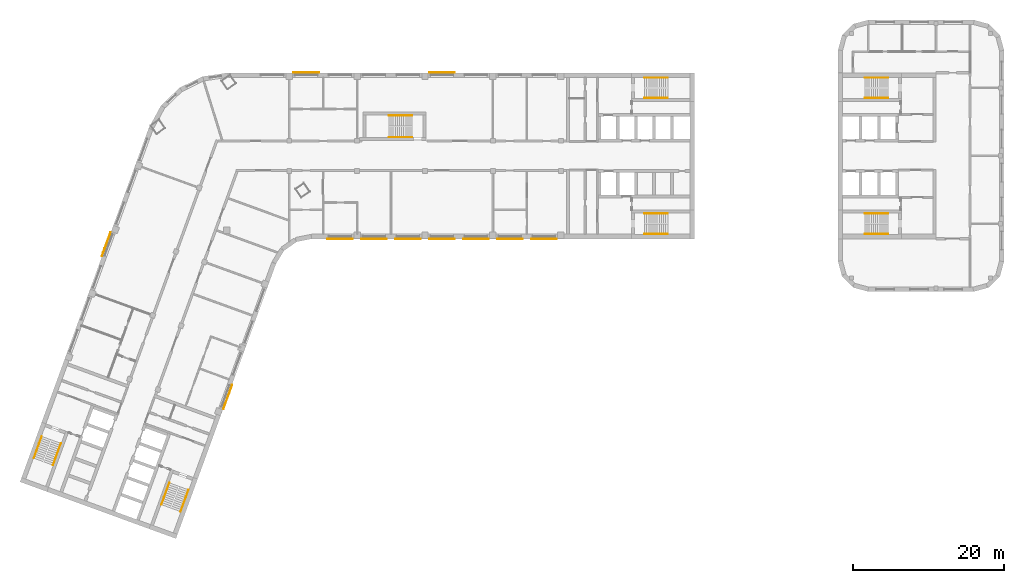
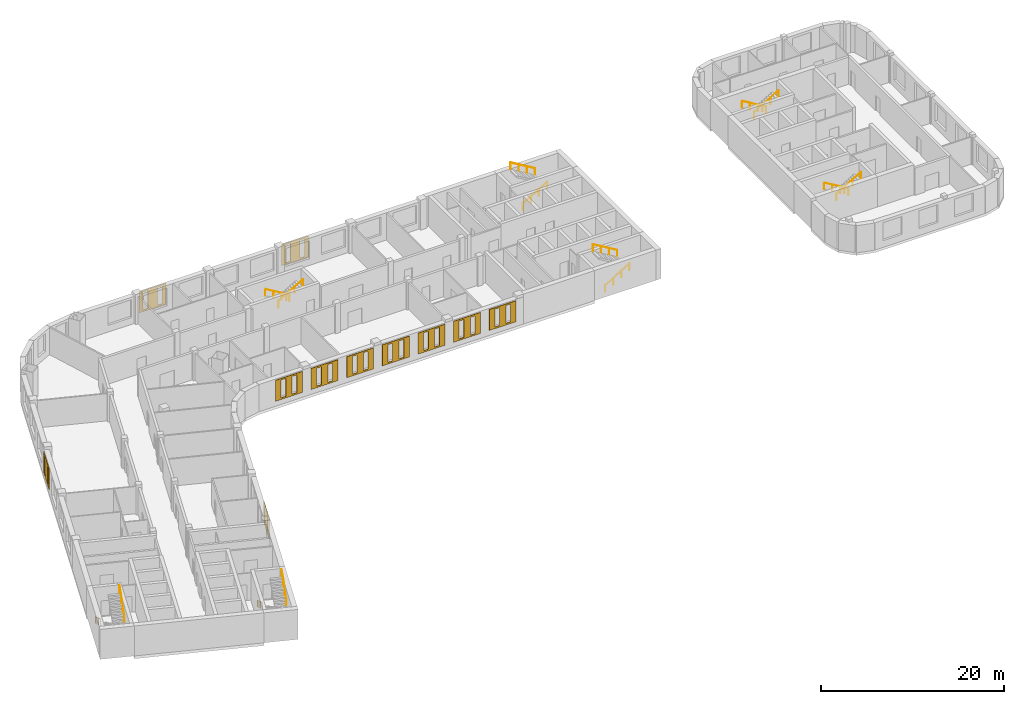
# One storey, part 10 of 10: 14 railings, 11 coverings.
"""IFC4 building model written with IfcOpenShell, lengths in metres."""

from ifc_helpers import new_model, si_unit, direction, frame, origin, origin_2d, place, context, subcontext, project, spatial, polyline, circle, outline, extrude, material, material_profile, profile_set, type_object, element, save


model = new_model("IFC4")

# Units and contexts
model_context = context("Model", 3, precision=1e-05, world=origin(), true_north=direction((0.0, 1.0)))
body_context = subcontext(model_context, "Body", "Model", "MODEL_VIEW")
ifc_project = project(units=[si_unit("LENGTHUNIT", "METRE"), si_unit("AREAUNIT", "SQUARE_METRE"), si_unit("VOLUMEUNIT", "CUBIC_METRE"), si_unit("PLANEANGLEUNIT", "RADIAN"), si_unit("MASSUNIT", "GRAM", prefix="KILO")], contexts=[model_context])

# Site, building, storey
site_placement = place(None, origin())
site = spatial("IfcSite", under=ifc_project, at=site_placement, CompositionType="ELEMENT")
building_placement = place(site_placement, origin())
building = spatial("IfcBuilding", under=site, at=building_placement, Name="Skarvind Civic Tower", CompositionType="ELEMENT")
storey_placement = place(building_placement, frame((0.0, 0.0, 97.0)))
storey = spatial("IfcBuildingStorey", under=building, at=storey_placement, Name="L22", CompositionType="ELEMENT", Elevation=97.0)

# Railings
ifc_material_1 = material(Name="Painted steel handrail", Category="steel")
railing_type = type_object("IfcRailingType", Name="Stair handrail 900", PredefinedType="HANDRAIL", material=ifc_material_1)
railing_1_placement = place(storey_placement, frame((101.35009765625, 135.64990234375, 0.166748046875)))
element("IfcRailing", 1, at=railing_1_placement, inside=storey, type_object=railing_type, Name="Stair handrail", PredefinedType="HANDRAIL", context=body_context, shape_type="SweptSolid", body=[
    extrude(circle(Radius=0.02392578125, at=origin_2d()), frame((0.0, 0.0, 0.8759765625), z_axis=(0.859290745958, 0.0, 0.51148745235), x_axis=(0.0, 1.0, 0.0)), (0.0, 0.0, 1.0), 3.584228515625),
    extrude(circle(Radius=0.02099609375, at=origin_2d()), origin(), (0.0, 0.0, 1.0), 0.851806640625),
    extrude(circle(Radius=0.02099609375, at=origin_2d()), frame((1.026611328125, 0.0, 0.611083984375)), (0.0, 0.0, 1.0), 0.851806640625),
    extrude(circle(Radius=0.02099609375, at=origin_2d()), frame((2.05322265625, 0.0, 1.22216796875)), (0.0, 0.0, 1.0), 0.851806640625),
    extrude(circle(Radius=0.02099609375, at=origin_2d()), frame((3.079833984375, 0.0, 1.833251953125)), (0.0, 0.0, 1.0), 0.851806640625),
])
railing_2_placement = place(storey_placement, frame((104.429931640625, 138.35009765625, 2.166748046875)))
element("IfcRailing", 2, at=railing_2_placement, inside=storey, type_object=railing_type, Name="Stair handrail", PredefinedType="HANDRAIL", context=body_context, shape_type="SweptSolid", body=[
    extrude(circle(Radius=0.02392578125, at=origin_2d()), frame((0.0, 0.0, 0.8759765625), z_axis=(-0.859290745958, 0.0, 0.51148745235), x_axis=(0.0, -1.0, 0.0)), (0.0, 0.0, 1.0), 3.584228515625),
    extrude(circle(Radius=0.02099609375, at=origin_2d()), origin(), (0.0, 0.0, 1.0), 0.851806640625),
    extrude(circle(Radius=0.02099609375, at=origin_2d()), frame((-1.026611328125, 0.0, 0.611083984375)), (0.0, 0.0, 1.0), 0.851806640625),
    extrude(circle(Radius=0.02099609375, at=origin_2d()), frame((-2.05322265625, 0.0, 1.22216796875)), (0.0, 0.0, 1.0), 0.851806640625),
    extrude(circle(Radius=0.02099609375, at=origin_2d()), frame((-3.079833984375, 0.0, 1.833251953125)), (0.0, 0.0, 1.0), 0.851806640625),
])
railing_3_placement = place(storey_placement, frame((101.35009765625, 117.64990234375, 0.166748046875)))
element("IfcRailing", 3, at=railing_3_placement, inside=storey, type_object=railing_type, Name="Stair handrail", PredefinedType="HANDRAIL", context=body_context, shape_type="SweptSolid", body=[
    extrude(circle(Radius=0.02392578125, at=origin_2d()), frame((0.0, 0.0, 0.8759765625), z_axis=(0.859290745958, 0.0, 0.51148745235), x_axis=(0.0, 1.0, 0.0)), (0.0, 0.0, 1.0), 3.584228515625),
    extrude(circle(Radius=0.02099609375, at=origin_2d()), origin(), (0.0, 0.0, 1.0), 0.851806640625),
    extrude(circle(Radius=0.02099609375, at=origin_2d()), frame((1.026611328125, 0.0, 0.611083984375)), (0.0, 0.0, 1.0), 0.851806640625),
    extrude(circle(Radius=0.02099609375, at=origin_2d()), frame((2.05322265625, 0.0, 1.22216796875)), (0.0, 0.0, 1.0), 0.851806640625),
    extrude(circle(Radius=0.02099609375, at=origin_2d()), frame((3.079833984375, 0.0, 1.833251953125)), (0.0, 0.0, 1.0), 0.851806640625),
])
railing_4_placement = place(storey_placement, frame((104.429931640625, 120.35009765625, 2.166748046875)))
element("IfcRailing", 4, at=railing_4_placement, inside=storey, type_object=railing_type, Name="Stair handrail", PredefinedType="HANDRAIL", context=body_context, shape_type="SweptSolid", body=[
    extrude(circle(Radius=0.02392578125, at=origin_2d()), frame((0.0, 0.0, 0.8759765625), z_axis=(-0.859290745958, 0.0, 0.51148745235), x_axis=(0.0, -1.0, 0.0)), (0.0, 0.0, 1.0), 3.584228515625),
    extrude(circle(Radius=0.02099609375, at=origin_2d()), origin(), (0.0, 0.0, 1.0), 0.851806640625),
    extrude(circle(Radius=0.02099609375, at=origin_2d()), frame((-1.026611328125, 0.0, 0.611083984375)), (0.0, 0.0, 1.0), 0.851806640625),
    extrude(circle(Radius=0.02099609375, at=origin_2d()), frame((-2.05322265625, 0.0, 1.22216796875)), (0.0, 0.0, 1.0), 0.851806640625),
    extrude(circle(Radius=0.02099609375, at=origin_2d()), frame((-3.079833984375, 0.0, 1.833251953125)), (0.0, 0.0, 1.0), 0.851806640625),
])
railing_5_placement = place(storey_placement, frame((38.362060546875, 84.64794921875, 0.166748046875)))
element("IfcRailing", 5, at=railing_5_placement, inside=storey, type_object=railing_type, Name="Stair handrail", PredefinedType="HANDRAIL", context=body_context, shape_type="SweptSolid", body=[
    extrude(circle(Radius=0.02392578125, at=origin_2d()), frame((0.0, 0.0, 0.8759765625), z_axis=(-0.293908055923, -0.807480881337, 0.511461319103), x_axis=(0.939689235759, -0.342029443467, 0.0)), (0.0, 0.0, 1.0), 3.584228515625),
    extrude(circle(Radius=0.02099609375, at=origin_2d()), origin(), (0.0, 0.0, 1.0), 0.851806640625),
    extrude(circle(Radius=0.02099609375, at=origin_2d()), frame((-0.35107421875, -0.96484375, 0.611083984375)), (0.0, 0.0, 1.0), 0.851806640625),
    extrude(circle(Radius=0.02099609375, at=origin_2d()), frame((-0.702392578125, -1.929443359375, 1.22216796875)), (0.0, 0.0, 1.0), 0.851806640625),
    extrude(circle(Radius=0.02099609375, at=origin_2d()), frame((-1.053466796875, -2.894287109375, 1.833251953125)), (0.0, 0.0, 1.0), 0.851806640625),
])
railing_6_placement = place(storey_placement, frame((39.845703125, 80.830078125, 2.166748046875)))
element("IfcRailing", 6, at=railing_6_placement, inside=storey, type_object=railing_type, Name="Stair handrail", PredefinedType="HANDRAIL", context=body_context, shape_type="SweptSolid", body=[
    extrude(circle(Radius=0.02392578125, at=origin_2d()), frame((0.0, 0.0, 0.8759765625), z_axis=(0.293908055923, 0.807480881337, 0.511461319103), x_axis=(-0.939689235759, 0.342029443467, 0.0)), (0.0, 0.0, 1.0), 3.584228515625),
    extrude(circle(Radius=0.02099609375, at=origin_2d()), origin(), (0.0, 0.0, 1.0), 0.851806640625),
    extrude(circle(Radius=0.02099609375, at=origin_2d()), frame((0.35107421875, 0.96484375, 0.611083984375)), (0.0, 0.0, 1.0), 0.851806640625),
    extrude(circle(Radius=0.02099609375, at=origin_2d()), frame((0.702392578125, 1.929443359375, 1.22216796875)), (0.0, 0.0, 1.0), 0.851806640625),
    extrude(circle(Radius=0.02099609375, at=origin_2d()), frame((1.053466796875, 2.894287109375, 1.833251953125)), (0.0, 0.0, 1.0), 0.851806640625),
])
railing_7_placement = place(storey_placement, frame((21.447509765625, 90.80419921875, 0.166748046875)))
element("IfcRailing", 7, at=railing_7_placement, inside=storey, type_object=railing_type, Name="Stair handrail", PredefinedType="HANDRAIL", context=body_context, shape_type="SweptSolid", body=[
    extrude(circle(Radius=0.02392578125, at=origin_2d()), frame((0.0, 0.0, 0.8759765625), z_axis=(-0.293845824691, -0.807497044902, 0.511471557163), x_axis=(0.939714709796, -0.34195944817, 0.0)), (0.0, 0.0, 1.0), 3.584228515625),
    extrude(circle(Radius=0.02099609375, at=origin_2d()), origin(), (0.0, 0.0, 1.0), 0.851806640625),
    extrude(circle(Radius=0.02099609375, at=origin_2d()), frame((-0.35107421875, -0.96484375, 0.611083984375)), (0.0, 0.0, 1.0), 0.851806640625),
    extrude(circle(Radius=0.02099609375, at=origin_2d()), frame((-0.7021484375, -1.929443359375, 1.22216796875)), (0.0, 0.0, 1.0), 0.851806640625),
    extrude(circle(Radius=0.02099609375, at=origin_2d()), frame((-1.05322265625, -2.894287109375, 1.833251953125)), (0.0, 0.0, 1.0), 0.851806640625),
])
railing_8_placement = place(storey_placement, frame((22.931396484375, 86.986572265625, 2.166748046875)))
element("IfcRailing", 8, at=railing_8_placement, inside=storey, type_object=railing_type, Name="Stair handrail", PredefinedType="HANDRAIL", context=body_context, shape_type="SweptSolid", body=[
    extrude(circle(Radius=0.02392578125, at=origin_2d()), frame((0.0, 0.0, 0.8759765625), z_axis=(0.293908055923, 0.807480881337, 0.511461319103), x_axis=(-0.939689235759, 0.342029443467, 0.0)), (0.0, 0.0, 1.0), 3.584228515625),
    extrude(circle(Radius=0.02099609375, at=origin_2d()), origin(), (0.0, 0.0, 1.0), 0.851806640625),
    extrude(circle(Radius=0.02099609375, at=origin_2d()), frame((0.35107421875, 0.96484375, 0.611083984375)), (0.0, 0.0, 1.0), 0.851806640625),
    extrude(circle(Radius=0.02099609375, at=origin_2d()), frame((0.702392578125, 1.929443359375, 1.22216796875)), (0.0, 0.0, 1.0), 0.851806640625),
    extrude(circle(Radius=0.02099609375, at=origin_2d()), frame((1.053466796875, 2.894287109375, 1.833251953125)), (0.0, 0.0, 1.0), 0.851806640625),
])
railing_9_placement = place(storey_placement, frame((133.64990234375, 120.35009765625, 0.166748046875)))
element("IfcRailing", 9, at=railing_9_placement, inside=storey, type_object=railing_type, Name="Stair handrail", PredefinedType="HANDRAIL", context=body_context, shape_type="SweptSolid", body=[
    extrude(circle(Radius=0.02392578125, at=origin_2d()), frame((0.0, 0.0, 0.8759765625), z_axis=(-0.859290745958, 0.0, 0.51148745235), x_axis=(0.0, -1.0, 0.0)), (0.0, 0.0, 1.0), 3.584228515625),
    extrude(circle(Radius=0.02099609375, at=origin_2d()), origin(), (0.0, 0.0, 1.0), 0.851806640625),
    extrude(circle(Radius=0.02099609375, at=origin_2d()), frame((-1.026611328125, 0.0, 0.611083984375)), (0.0, 0.0, 1.0), 0.851806640625),
    extrude(circle(Radius=0.02099609375, at=origin_2d()), frame((-2.05322265625, 0.0, 1.22216796875)), (0.0, 0.0, 1.0), 0.851806640625),
    extrude(circle(Radius=0.02099609375, at=origin_2d()), frame((-3.079833984375, 0.0, 1.833251953125)), (0.0, 0.0, 1.0), 0.851806640625),
])
railing_10_placement = place(storey_placement, frame((130.570068359375, 117.64990234375, 2.166748046875)))
element("IfcRailing", 10, at=railing_10_placement, inside=storey, type_object=railing_type, Name="Stair handrail", PredefinedType="HANDRAIL", context=body_context, shape_type="SweptSolid", body=[
    extrude(circle(Radius=0.02392578125, at=origin_2d()), frame((0.0, 0.0, 0.8759765625), z_axis=(0.859290745958, 0.0, 0.51148745235), x_axis=(0.0, 1.0, 0.0)), (0.0, 0.0, 1.0), 3.584228515625),
    extrude(circle(Radius=0.02099609375, at=origin_2d()), origin(), (0.0, 0.0, 1.0), 0.851806640625),
    extrude(circle(Radius=0.02099609375, at=origin_2d()), frame((1.026611328125, 0.0, 0.611083984375)), (0.0, 0.0, 1.0), 0.851806640625),
    extrude(circle(Radius=0.02099609375, at=origin_2d()), frame((2.05322265625, 0.0, 1.22216796875)), (0.0, 0.0, 1.0), 0.851806640625),
    extrude(circle(Radius=0.02099609375, at=origin_2d()), frame((3.079833984375, 0.0, 1.833251953125)), (0.0, 0.0, 1.0), 0.851806640625),
])
railing_11_placement = place(storey_placement, frame((133.64990234375, 138.35009765625, 0.166748046875)))
element("IfcRailing", 11, at=railing_11_placement, inside=storey, type_object=railing_type, Name="Stair handrail", PredefinedType="HANDRAIL", context=body_context, shape_type="SweptSolid", body=[
    extrude(circle(Radius=0.02392578125, at=origin_2d()), frame((0.0, 0.0, 0.8759765625), z_axis=(-0.859290745958, 0.0, 0.51148745235), x_axis=(0.0, -1.0, 0.0)), (0.0, 0.0, 1.0), 3.584228515625),
    extrude(circle(Radius=0.02099609375, at=origin_2d()), origin(), (0.0, 0.0, 1.0), 0.851806640625),
    extrude(circle(Radius=0.02099609375, at=origin_2d()), frame((-1.026611328125, 0.0, 0.611083984375)), (0.0, 0.0, 1.0), 0.851806640625),
    extrude(circle(Radius=0.02099609375, at=origin_2d()), frame((-2.05322265625, 0.0, 1.22216796875)), (0.0, 0.0, 1.0), 0.851806640625),
    extrude(circle(Radius=0.02099609375, at=origin_2d()), frame((-3.079833984375, 0.0, 1.833251953125)), (0.0, 0.0, 1.0), 0.851806640625),
])
railing_12_placement = place(storey_placement, frame((130.570068359375, 135.64990234375, 2.166748046875)))
element("IfcRailing", 12, at=railing_12_placement, inside=storey, type_object=railing_type, Name="Stair handrail", PredefinedType="HANDRAIL", context=body_context, shape_type="SweptSolid", body=[
    extrude(circle(Radius=0.02392578125, at=origin_2d()), frame((0.0, 0.0, 0.8759765625), z_axis=(0.859290745958, 0.0, 0.51148745235), x_axis=(0.0, 1.0, 0.0)), (0.0, 0.0, 1.0), 3.584228515625),
    extrude(circle(Radius=0.02099609375, at=origin_2d()), origin(), (0.0, 0.0, 1.0), 0.851806640625),
    extrude(circle(Radius=0.02099609375, at=origin_2d()), frame((1.026611328125, 0.0, 0.611083984375)), (0.0, 0.0, 1.0), 0.851806640625),
    extrude(circle(Radius=0.02099609375, at=origin_2d()), frame((2.05322265625, 0.0, 1.22216796875)), (0.0, 0.0, 1.0), 0.851806640625),
    extrude(circle(Radius=0.02099609375, at=origin_2d()), frame((3.079833984375, 0.0, 1.833251953125)), (0.0, 0.0, 1.0), 0.851806640625),
])
railing_13_placement = place(storey_placement, frame((70.550048828125, 133.35009765625, 0.166748046875)))
element("IfcRailing", 13, at=railing_13_placement, inside=storey, type_object=railing_type, Name="Stair handrail", PredefinedType="HANDRAIL", context=body_context, shape_type="SweptSolid", body=[
    extrude(circle(Radius=0.02392578125, at=origin_2d()), frame((0.0, 0.0, 0.8759765625), z_axis=(-0.859308565015, 0.0, 0.511457515432), x_axis=(0.0, -1.0, 0.0)), (0.0, 0.0, 1.0), 3.58447265625),
    extrude(circle(Radius=0.02099609375, at=origin_2d()), origin(), (0.0, 0.0, 1.0), 0.851806640625),
    extrude(circle(Radius=0.02099609375, at=origin_2d()), frame((-1.026611328125, 0.0, 0.611083984375)), (0.0, 0.0, 1.0), 0.851806640625),
    extrude(circle(Radius=0.02099609375, at=origin_2d()), frame((-2.053466796875, 0.0, 1.22216796875)), (0.0, 0.0, 1.0), 0.851806640625),
    extrude(circle(Radius=0.02099609375, at=origin_2d()), frame((-3.080078125, 0.0, 1.833251953125)), (0.0, 0.0, 1.0), 0.851806640625),
])
railing_14_placement = place(storey_placement, frame((67.469970703125, 130.449951171875, 2.166748046875)))
element("IfcRailing", 14, at=railing_14_placement, inside=storey, type_object=railing_type, Name="Stair handrail", PredefinedType="HANDRAIL", context=body_context, shape_type="SweptSolid", body=[
    extrude(circle(Radius=0.02392578125, at=origin_2d()), frame((0.0, 0.0, 0.8759765625), z_axis=(0.859308565015, 0.0, 0.511457515432), x_axis=(0.0, 1.0, 0.0)), (0.0, 0.0, 1.0), 3.58447265625),
    extrude(circle(Radius=0.02099609375, at=origin_2d()), origin(), (0.0, 0.0, 1.0), 0.851806640625),
    extrude(circle(Radius=0.02099609375, at=origin_2d()), frame((1.026611328125, 0.0, 0.611083984375)), (0.0, 0.0, 1.0), 0.851806640625),
    extrude(circle(Radius=0.02099609375, at=origin_2d()), frame((2.053466796875, 0.0, 1.22216796875)), (0.0, 0.0, 1.0), 0.851806640625),
    extrude(circle(Radius=0.02099609375, at=origin_2d()), frame((3.080078125, 0.0, 1.833251953125)), (0.0, 0.0, 1.0), 0.851806640625),
])

# Coverings
ifc_material_2 = material(Name="Terracotta", Category="masonry")
ifc_material_profile_1 = material_profile(ifc_material_2, outline(polyline([(-1.699951171875, -1.39990234375), (1.699951171875, -1.39990234375), (1.699951171875, 1.39990234375), (-1.699951171875, 1.39990234375), (-1.699951171875, -1.39990234375)]), holes=[polyline([(-1.0, -1.18994140625), (-0.39990234375, -1.18994140625), (-0.39990234375, 1.18994140625), (-1.0, 1.18994140625), (-1.0, -1.18994140625)]), polyline([(0.39990234375, -1.18994140625), (1.0, -1.18994140625), (1.0, 1.18994140625), (0.39990234375, 1.18994140625), (0.39990234375, -1.18994140625)])]), Name="TERRACOTTA SCREEN 3400 x 2800, SLIT PITCH 1400")
ifc_profile_set_1 = profile_set([ifc_material_profile_1], Name="Terracotta")
covering_type_1 = type_object("IfcCoveringType", Name="TERRACOTTA SCREEN 3400 x 2800, SLIT PITCH 1400", PredefinedType="CLADDING", material=ifc_profile_set_1)
for number, where, z_axis, x_axis, name in (
    (15, (88.0, 117.0, 2.10009765625), (0.0, -1.0, 0.0), (1.0, 0.0, 0.0), "TERRACOTTA SCREEN"),
    (16, (83.5, 117.0, 2.10009765625), (0.0, -1.0, 0.0), (1.0, 0.0, 0.0), "TERRACOTTA SCREEN"),
    (17, (79.0, 117.0, 2.10009765625), (0.0, -1.0, 0.0), (1.0, 0.0, 0.0), "TERRACOTTA SCREEN"),
    (18, (74.5, 117.0, 2.10009765625), (0.0, -1.0, 0.0), (1.0, 0.0, 0.0), "TERRACOTTA SCREEN"),
    (19, (70.0, 117.0, 2.10009765625), (0.0, -1.0, 0.0), (1.0, 0.0, 0.0), "TERRACOTTA SCREEN"),
    (20, (65.5, 117.0, 2.10009765625), (0.0, -1.0, 0.0), (1.0, 0.0, 0.0), "TERRACOTTA SCREEN"),
    (21, (61.0, 117.0, 2.10009765625), (0.0, -1.0, 0.0), (1.0, 0.0, 0.0), "TERRACOTTA SCREEN"),
):
    element("IfcCovering", number, at=place(storey_placement, frame(where, z_axis=z_axis, x_axis=x_axis)), inside=storey, type_object=covering_type_1, Name=name, PredefinedType="CLADDING", context=body_context, shape_type="SweptSolid", body=[
        extrude(outline(polyline([(-1.699951171875, -1.39990234375), (1.699951171875, -1.39990234375), (1.699951171875, 1.39990234375), (-1.699951171875, 1.39990234375), (-1.699951171875, -1.39990234375)]), holes=[polyline([(-1.0, -1.18994140625), (-0.39990234375, -1.18994140625), (-0.39990234375, 1.18994140625), (-1.0, 1.18994140625), (-1.0, -1.18994140625)]), polyline([(0.39990234375, -1.18994140625), (1.0, -1.18994140625), (1.0, 1.18994140625), (0.39990234375, 1.18994140625), (0.39990234375, -1.18994140625)])]), origin(), (0.0, 0.0, 1.0), 0.06005859375),
    ])
ifc_material_profile_2 = material_profile(ifc_material_2, outline(polyline([(-1.699951171875, -1.39990234375), (1.699951171875, -1.39990234375), (1.699951171875, 1.39990234375), (-1.699951171875, 1.39990234375), (-1.699951171875, -1.39990234375)]), holes=[polyline([(-1.199951171875, -1.18994140625), (-0.60009765625, -1.18994140625), (-0.60009765625, 1.18994140625), (-1.199951171875, 1.18994140625), (-1.199951171875, -1.18994140625)]), polyline([(0.60009765625, -1.18994140625), (1.199951171875, -1.18994140625), (1.199951171875, 1.18994140625), (0.60009765625, 1.18994140625), (0.60009765625, -1.18994140625)])]), Name="TERRACOTTA SCREEN 3400 x 2800, SLIT PITCH 1800")
ifc_profile_set_2 = profile_set([ifc_material_profile_2], Name="Terracotta")
covering_type_2 = type_object("IfcCoveringType", Name="TERRACOTTA SCREEN 3400 x 2800, SLIT PITCH 1800", PredefinedType="CLADDING", material=ifc_profile_set_2)
for number, where, z_axis, x_axis, name in (
    (22, (46.075927734375, 96.047119140625, 2.10009765625), (0.939793423488, -0.341743063087, 0.0), (0.341743063087, 0.939793423488, 0.0), "TERRACOTTA SCREEN"),
    (23, (56.5, 139.0, 2.10009765625), (0.0, 1.0, 0.0), (-1.0, 0.0, 0.0), "TERRACOTTA SCREEN"),
    (24, (74.5, 139.0, 2.10009765625), (0.0, 1.0, 0.0), (-1.0, 0.0, 0.0), "TERRACOTTA SCREEN"),
    (25, (30.02001953125, 116.25732421875, 2.10009765625), (-0.939793423488, 0.341743063087, 0.0), (-0.341743063087, -0.939793423488, 0.0), "TERRACOTTA SCREEN"),
):
    element("IfcCovering", number, at=place(storey_placement, frame(where, z_axis=z_axis, x_axis=x_axis)), inside=storey, type_object=covering_type_2, Name=name, PredefinedType="CLADDING", context=body_context, shape_type="SweptSolid", body=[
        extrude(outline(polyline([(-1.699951171875, -1.39990234375), (1.699951171875, -1.39990234375), (1.699951171875, 1.39990234375), (-1.699951171875, 1.39990234375), (-1.699951171875, -1.39990234375)]), holes=[polyline([(-1.199951171875, -1.18994140625), (-0.60009765625, -1.18994140625), (-0.60009765625, 1.18994140625), (-1.199951171875, 1.18994140625), (-1.199951171875, -1.18994140625)]), polyline([(0.60009765625, -1.18994140625), (1.199951171875, -1.18994140625), (1.199951171875, 1.18994140625), (0.60009765625, 1.18994140625), (0.60009765625, -1.18994140625)])]), origin(), (0.0, 0.0, 1.0), 0.06005859375),
    ])

save(model, "model.ifc")
